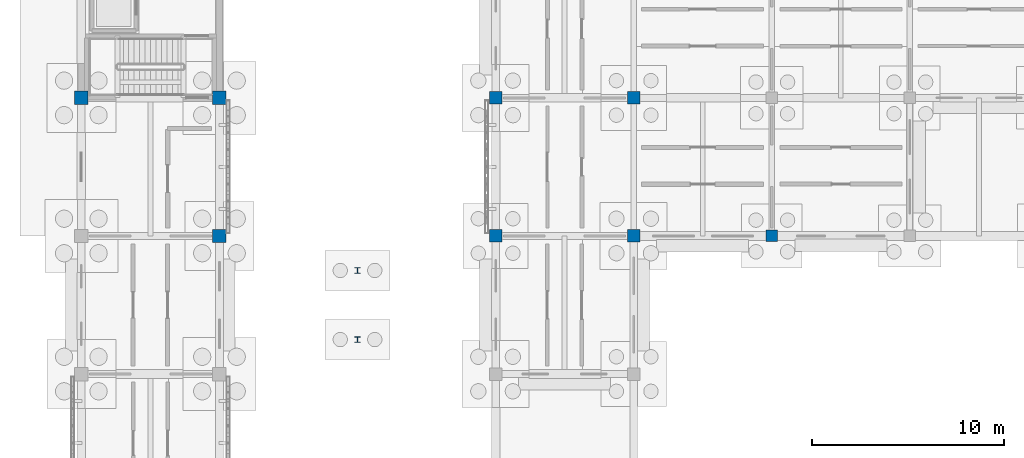
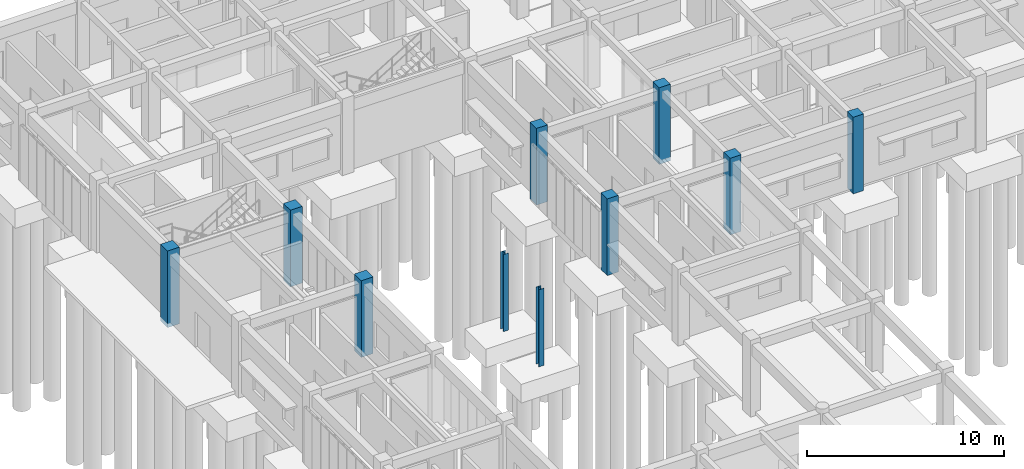
# One storey, part 8 of 111: 10 columns.
"""IFC4 building model written with IfcOpenShell, lengths in metres."""

from ifc_helpers import new_model, si_unit, direction, frame, origin, origin_2d, place, context, subcontext, project, spatial, rectangle, i_section, extrude, material, material_profile, profile_set, type_object, element, save


model = new_model("IFC4")

# Units and contexts
model_context = context("Model", 3, precision=1e-05, world=origin(), true_north=direction((0.0, 1.0)))
body_context = subcontext(model_context, "Body", "Model", "MODEL_VIEW")
ifc_project = project(units=[si_unit("LENGTHUNIT", "METRE"), si_unit("AREAUNIT", "SQUARE_METRE"), si_unit("VOLUMEUNIT", "CUBIC_METRE"), si_unit("PLANEANGLEUNIT", "RADIAN"), si_unit("MASSUNIT", "GRAM", prefix="KILO")], contexts=[model_context])

# Site, building, storey
site_placement = place(None, origin())
site = spatial("IfcSite", under=ifc_project, at=site_placement, CompositionType="ELEMENT")
building_placement = place(site_placement, origin())
building = spatial("IfcBuilding", under=site, at=building_placement, Name="Aldebral Square Health Centre", CompositionType="ELEMENT")
storey_placement = place(building_placement, origin())
storey = spatial("IfcBuildingStorey", under=building, at=storey_placement, Name="L00", CompositionType="ELEMENT", Elevation=0.0)

# Columns
ifc_material_1 = material(Name="Concrete C40/50", Category="concrete")
ifc_material_profile_1 = material_profile(ifc_material_1, rectangle(XDim=0.699951171875, YDim=0.699951171875, at=origin_2d()), Name="RC 700x700")
ifc_profile_set_1 = profile_set([ifc_material_profile_1], Name="Concrete C40/50")
column_type_1 = type_object("IfcColumnType", Name="COL-C1", PredefinedType="COLUMN", material=ifc_profile_set_1)
for number, where, z_axis, x_axis, name in (
    (1, (0.0, 93.60009765625, -0.25), (0.0, 0.0, 1.0), (1.0, 0.0, 0.0), "L00 column 1/14"),
    (2, (7.199951171875, 86.39990234375, -0.25), (0.0, 0.0, 1.0), (1.0, 0.0, 0.0), "L00 column 2/13"),
    (3, (7.199951171875, 93.60009765625, -0.25), (0.0, 0.0, 1.0), (1.0, 0.0, 0.0), "L00 column 2/14"),
):
    element("IfcColumn", number, at=place(storey_placement, frame(where, z_axis=z_axis, x_axis=x_axis)), inside=storey, type_object=column_type_1, Name=name, PredefinedType="COLUMN", context=body_context, shape_type="SweptSolid", body=[
        extrude(rectangle(XDim=0.699951171875, YDim=0.699951171875, at=origin_2d()), origin(), (0.0, 0.0, 1.0), 4.75),
    ])
ifc_material_profile_2 = material_profile(ifc_material_1, rectangle(XDim=0.64990234375, YDim=0.64990234375, at=origin_2d()), Name="RC 650x650")
ifc_profile_set_2 = profile_set([ifc_material_profile_2], Name="Concrete C40/50")
column_type_2 = type_object("IfcColumnType", Name="COL-C2", PredefinedType="COLUMN", material=ifc_profile_set_2)
for number, where, z_axis, x_axis, name in (
    (4, (21.60009765625, 86.39990234375, -0.25), (0.0, 0.0, 1.0), (1.0, 0.0, 0.0), "L00 column 4/13"),
    (5, (21.60009765625, 93.60009765625, -0.25), (0.0, 0.0, 1.0), (1.0, 0.0, 0.0), "L00 column 4/14"),
    (6, (28.800048828125, 86.39990234375, -0.25), (0.0, 0.0, 1.0), (1.0, 0.0, 0.0), "L00 column 5/13"),
    (7, (28.800048828125, 93.60009765625, -0.25), (0.0, 0.0, 1.0), (1.0, 0.0, 0.0), "L00 column 5/14"),
):
    element("IfcColumn", number, at=place(storey_placement, frame(where, z_axis=z_axis, x_axis=x_axis)), inside=storey, type_object=column_type_2, Name=name, PredefinedType="COLUMN", context=body_context, shape_type="SweptSolid", body=[
        extrude(rectangle(XDim=0.64990234375, YDim=0.64990234375, at=origin_2d()), origin(), (0.0, 0.0, 1.0), 4.75),
    ])
ifc_material_profile_3 = material_profile(ifc_material_1, rectangle(XDim=0.60009765625, YDim=0.60009765625, at=origin_2d()), Name="RC 600x600")
ifc_profile_set_3 = profile_set([ifc_material_profile_3], Name="Concrete C40/50")
column_type_3 = type_object("IfcColumnType", Name="COL-C3", PredefinedType="COLUMN", material=ifc_profile_set_3)
column_placement = place(storey_placement, frame((36.0, 86.39990234375, -0.25), z_axis=(0.0, 0.0, 1.0), x_axis=(1.0, 0.0, 0.0)))
element("IfcColumn", 8, at=column_placement, inside=storey, type_object=column_type_3, Name="L00 column 6/13", PredefinedType="COLUMN", context=body_context, shape_type="SweptSolid", body=[
    extrude(rectangle(XDim=0.60009765625, YDim=0.60009765625, at=origin_2d()), origin(), (0.0, 0.0, 1.0), 4.75),
])
ifc_material_2 = material(Name="Steel S355JR", Category="steel")
ifc_material_profile_4 = material_profile(ifc_material_2, i_section(OverallWidth=0.300048828125, OverallDepth=0.300048828125, WebThickness=0.010986328125, FlangeThickness=0.01904296875, FilletRadius=0.027099609375, at=origin_2d()), Name="HEB 300")
ifc_profile_set_4 = profile_set([ifc_material_profile_4], Name="Steel S355JR")
column_type_4 = type_object("IfcColumnType", Name="COL-S1", PredefinedType="COLUMN", material=ifc_profile_set_4)
for number, where, z_axis, x_axis, name in (
    (9, (14.39990234375, 81.0, -0.27490234375), (0.0, 0.0, 1.0), (1.0, 0.0, 0.0), "L00 bridge steel column 2-11"),
    (10, (14.39990234375, 84.60009765625, -0.27490234375), (0.0, 0.0, 1.0), (1.0, 0.0, 0.0), "L00 bridge steel column 2-12"),
):
    element("IfcColumn", number, at=place(storey_placement, frame(where, z_axis=z_axis, x_axis=x_axis)), inside=storey, type_object=column_type_4, Name=name, PredefinedType="COLUMN", context=body_context, shape_type="SweptSolid", body=[
        extrude(i_section(OverallWidth=0.300048828125, OverallDepth=0.300048828125, WebThickness=0.010986328125, FlangeThickness=0.01904296875, FilletRadius=0.027099609375, at=origin_2d()), origin(), (0.0, 0.0, 1.0), 4.77490234375),
    ])

save(model, "model.ifc")
